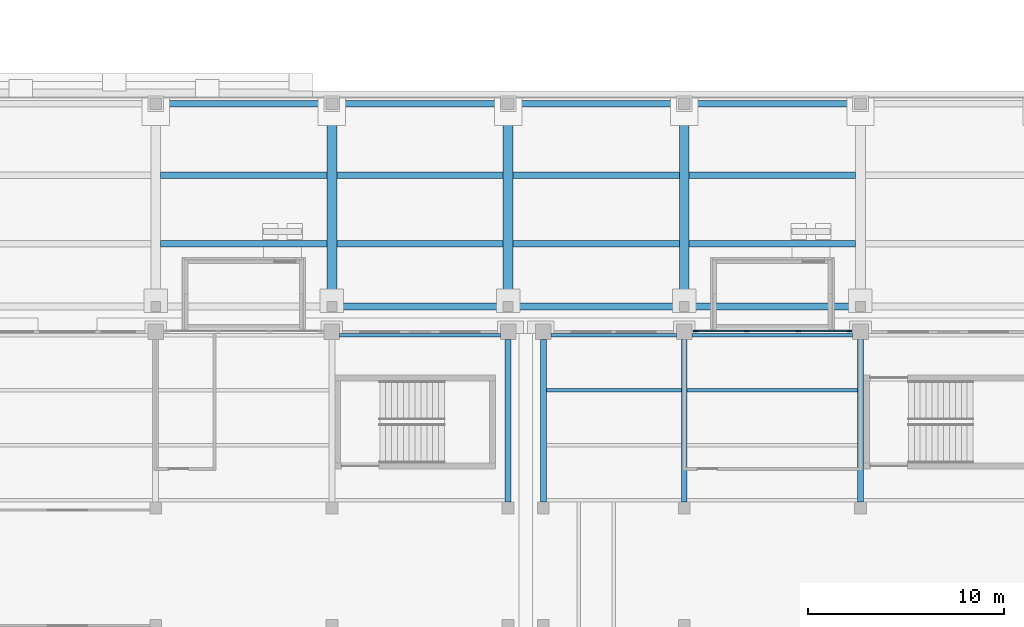
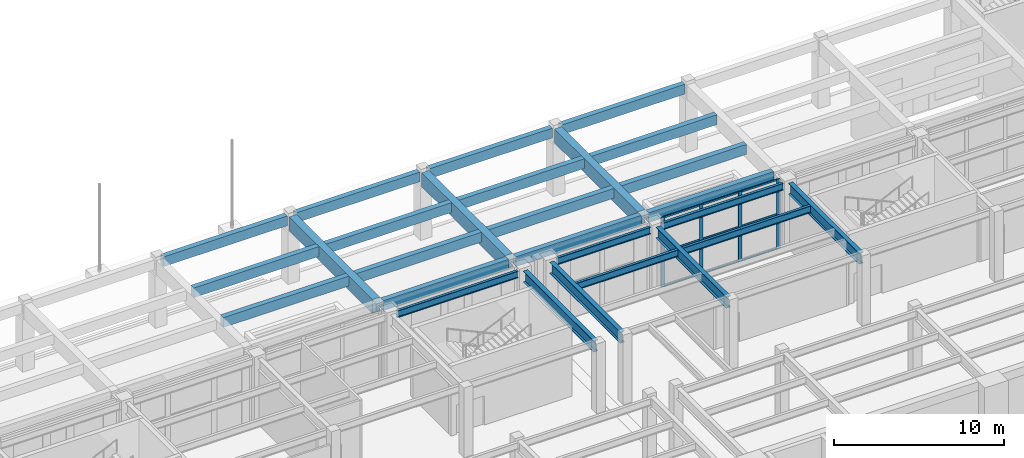
# One storey, part 25 of 77: 27 beams, 13 members, 1 element without a shape of its own.
"""IFC4 building model written with IfcOpenShell, lengths in metres."""

from ifc_helpers import new_model, si_unit, direction, frame, origin, origin_2d, place, context, subcontext, project, spatial, rectangle, i_section, extrude, material, material_profile, profile_set, type_object, element, aggregate, save


model = new_model("IFC4")

# Units and contexts
model_context = context("Model", 3, precision=1e-05, world=origin(), true_north=direction((0.0, 1.0)))
body_context = subcontext(model_context, "Body", "Model", "MODEL_VIEW")
ifc_project = project(units=[si_unit("LENGTHUNIT", "METRE"), si_unit("AREAUNIT", "SQUARE_METRE"), si_unit("VOLUMEUNIT", "CUBIC_METRE"), si_unit("PLANEANGLEUNIT", "RADIAN"), si_unit("MASSUNIT", "GRAM", prefix="KILO")], contexts=[model_context])

# Site, building, storey
site_placement = place(None, origin())
site = spatial("IfcSite", under=ifc_project, at=site_placement, CompositionType="ELEMENT")
building_placement = place(site_placement, origin())
building = spatial("IfcBuilding", under=site, at=building_placement, Name="Aravalli Gate Trade Fair Centre", CompositionType="ELEMENT")
storey_placement = place(building_placement, origin())
storey = spatial("IfcBuildingStorey", under=building, at=storey_placement, Name="L00", CompositionType="ELEMENT", Elevation=0.0)

# Beams
ifc_material_1 = material(Name="Concrete M40", Category="concrete")
ifc_material_profile_1 = material_profile(ifc_material_1, rectangle(XDim=0.5, YDim=1.0, at=origin_2d()), Name="Arcade cross beam 500 x 1000")
ifc_profile_set_1 = profile_set([ifc_material_profile_1], Name="Concrete M40")
beam_type_1 = type_object("IfcBeamType", Name="Arcade cross beam 500 x 1000", PredefinedType="BEAM", material=ifc_profile_set_1)
for number, where, z_axis, x_axis, name in (
    (1, (96.0, 134.550048828125, 4.25), (0.0, 1.0, 0.0), (-1.0, 0.0, 0.0), "Arcade cross beam 11"),
    (2, (105.0, 134.550048828125, 4.25), (0.0, 1.0, 0.0), (-1.0, 0.0, 0.0), "Arcade cross beam 12"),
    (3, (114.0, 134.550048828125, 4.25), (0.0, 1.0, 0.0), (-1.0, 0.0, 0.0), "Arcade cross beam 13"),
):
    element("IfcBeam", number, at=place(storey_placement, frame(where, z_axis=z_axis, x_axis=x_axis)), inside=storey, type_object=beam_type_1, Name=name, PredefinedType="BEAM", context=body_context, shape_type="SweptSolid", body=[
        extrude(rectangle(XDim=0.5, YDim=1.0, at=origin_2d()), origin(), (0.0, 0.0, 1.0), 9.800048828125),
    ])
ifc_material_profile_2 = material_profile(ifc_material_1, rectangle(XDim=0.35009765625, YDim=0.699951171875, at=origin_2d()), Name="Arcade terrace beam 350 x 700")
ifc_profile_set_2 = profile_set([ifc_material_profile_2], Name="Concrete M40")
beam_type_2 = type_object("IfcBeamType", Name="Arcade terrace beam 350 x 700", PredefinedType="BEAM", material=ifc_profile_set_2)
for number, where, z_axis, x_axis, name in (
    (4, (87.25, 137.5, 4.39990234375), (1.0, 0.0, 0.0), (0.0, 1.0, 0.0), "Arcade terrace beam 2.10-11"),
    (5, (87.25, 141.0, 4.39990234375), (1.0, 0.0, 0.0), (0.0, 1.0, 0.0), "Arcade terrace beam 3.10-11"),
):
    element("IfcBeam", number, at=place(storey_placement, frame(where, z_axis=z_axis, x_axis=x_axis)), inside=storey, type_object=beam_type_2, Name=name, PredefinedType="BEAM", context=body_context, shape_type="SweptSolid", body=[
        extrude(rectangle(XDim=0.35009765625, YDim=0.699951171875, at=origin_2d()), origin(), (0.0, 0.0, 1.0), 8.5),
    ])
beam_1_placement = place(storey_placement, frame((87.300048828125, 144.64990234375, 4.39990234375), z_axis=(1.0, 0.0, 0.0), x_axis=(0.0, 1.0, 0.0)))
element("IfcBeam", 6, at=beam_1_placement, inside=storey, type_object=beam_type_2, Name="Arcade terrace beam 4.10-11", PredefinedType="BEAM", context=body_context, shape_type="SweptSolid", body=[
    extrude(rectangle(XDim=0.35009765625, YDim=0.699951171875, at=origin_2d()), origin(), (0.0, 0.0, 1.0), 8.39990234375),
])
for number, where, z_axis, x_axis, name in (
    (7, (96.25, 134.300048828125, 4.39990234375), (1.0, 0.0, 0.0), (0.0, 1.0, 0.0), "Arcade terrace beam 1.11-12"),
    (8, (96.25, 137.5, 4.39990234375), (1.0, 0.0, 0.0), (0.0, 1.0, 0.0), "Arcade terrace beam 2.11-12"),
    (9, (96.25, 141.0, 4.39990234375), (1.0, 0.0, 0.0), (0.0, 1.0, 0.0), "Arcade terrace beam 3.11-12"),
):
    element("IfcBeam", number, at=place(storey_placement, frame(where, z_axis=z_axis, x_axis=x_axis)), inside=storey, type_object=beam_type_2, Name=name, PredefinedType="BEAM", context=body_context, shape_type="SweptSolid", body=[
        extrude(rectangle(XDim=0.35009765625, YDim=0.699951171875, at=origin_2d()), origin(), (0.0, 0.0, 1.0), 8.5),
    ])
beam_2_placement = place(storey_placement, frame((96.300048828125, 144.64990234375, 4.39990234375), z_axis=(1.0, 0.0, 0.0), x_axis=(0.0, 1.0, 0.0)))
element("IfcBeam", 10, at=beam_2_placement, inside=storey, type_object=beam_type_2, Name="Arcade terrace beam 4.11-12", PredefinedType="BEAM", context=body_context, shape_type="SweptSolid", body=[
    extrude(rectangle(XDim=0.35009765625, YDim=0.699951171875, at=origin_2d()), origin(), (0.0, 0.0, 1.0), 8.39990234375),
])
for number, where, z_axis, x_axis, name in (
    (11, (105.25, 134.300048828125, 4.39990234375), (1.0, 0.0, 0.0), (0.0, 1.0, 0.0), "Arcade terrace beam 1.12-13"),
    (12, (105.25, 137.5, 4.39990234375), (1.0, 0.0, 0.0), (0.0, 1.0, 0.0), "Arcade terrace beam 2.12-13"),
    (13, (105.25, 141.0, 4.39990234375), (1.0, 0.0, 0.0), (0.0, 1.0, 0.0), "Arcade terrace beam 3.12-13"),
):
    element("IfcBeam", number, at=place(storey_placement, frame(where, z_axis=z_axis, x_axis=x_axis)), inside=storey, type_object=beam_type_2, Name=name, PredefinedType="BEAM", context=body_context, shape_type="SweptSolid", body=[
        extrude(rectangle(XDim=0.35009765625, YDim=0.699951171875, at=origin_2d()), origin(), (0.0, 0.0, 1.0), 8.5),
    ])
beam_3_placement = place(storey_placement, frame((105.300048828125, 144.64990234375, 4.39990234375), z_axis=(1.0, 0.0, 0.0), x_axis=(0.0, 1.0, 0.0)))
element("IfcBeam", 14, at=beam_3_placement, inside=storey, type_object=beam_type_2, Name="Arcade terrace beam 4.12-13", PredefinedType="BEAM", context=body_context, shape_type="SweptSolid", body=[
    extrude(rectangle(XDim=0.35009765625, YDim=0.699951171875, at=origin_2d()), origin(), (0.0, 0.0, 1.0), 8.39990234375),
])
for number, where, z_axis, x_axis, name in (
    (15, (114.25, 134.300048828125, 4.39990234375), (1.0, 0.0, 0.0), (0.0, 1.0, 0.0), "Arcade terrace beam 1.13-14"),
    (16, (114.25, 137.5, 4.39990234375), (1.0, 0.0, 0.0), (0.0, 1.0, 0.0), "Arcade terrace beam 2.13-14"),
    (17, (114.25, 141.0, 4.39990234375), (1.0, 0.0, 0.0), (0.0, 1.0, 0.0), "Arcade terrace beam 3.13-14"),
):
    element("IfcBeam", number, at=place(storey_placement, frame(where, z_axis=z_axis, x_axis=x_axis)), inside=storey, type_object=beam_type_2, Name=name, PredefinedType="BEAM", context=body_context, shape_type="SweptSolid", body=[
        extrude(rectangle(XDim=0.35009765625, YDim=0.699951171875, at=origin_2d()), origin(), (0.0, 0.0, 1.0), 8.5),
    ])
beam_4_placement = place(storey_placement, frame((114.300048828125, 144.64990234375, 4.39990234375), z_axis=(1.0, 0.0, 0.0), x_axis=(0.0, 1.0, 0.0)))
element("IfcBeam", 18, at=beam_4_placement, inside=storey, type_object=beam_type_2, Name="Arcade terrace beam 4.13-14", PredefinedType="BEAM", context=body_context, shape_type="SweptSolid", body=[
    extrude(rectangle(XDim=0.35009765625, YDim=0.699951171875, at=origin_2d()), origin(), (0.0, 0.0, 1.0), 8.39990234375),
])

# Curtain wall, members
ifc_material_2 = material(Name="Aluminium and glass", Category="aluminium")
curtain_wall_type = type_object("IfcCurtainWallType", Name="Curtain wall 3000 module, tall", PredefinedType="NOTDEFINED", material=ifc_material_2)
curtain_wall_placement = place(storey_placement, origin())
curtain_wall = element("IfcCurtainWall", 19, at=curtain_wall_placement, inside=storey, type_object=curtain_wall_type, Name="Curtain wall north bay 14 L00", PredefinedType="NOTDEFINED")
ifc_material_3 = material(Name="Aluminium", Category="aluminium")
ifc_material_profile_3 = material_profile(ifc_material_3, rectangle(XDim=0.06005859375, YDim=0.25, at=origin_2d()), Name="Concourse curtain wall mullion 60 x 250")
ifc_profile_set_3 = profile_set([ifc_material_profile_3], Name="Aluminium")
member_type_1 = type_object("IfcMemberType", Name="Concourse curtain wall mullion 60 x 250", PredefinedType="MULLION", material=ifc_profile_set_3)
member_1_placement = place(storey_placement, frame((114.580078125, 133.044921875, 0.0), z_axis=(0.0, 0.0, 1.0), x_axis=(0.0, 1.0, 0.0)))
member_1 = element("IfcMember", 20, at=member_1_placement, type_object=member_type_1, Name="CW3 mullion 1", PredefinedType="MULLION", context=body_context, shape_type="SweptSolid", body=[
    extrude(rectangle(XDim=0.06005859375, YDim=0.25, at=origin_2d()), origin(), (0.0, 0.0, 1.0), 5.0),
])
member_2_placement = place(storey_placement, frame((117.183349609375, 133.044921875, 0.0), z_axis=(0.0, 0.0, 1.0), x_axis=(0.0, 1.0, 0.0)))
member_2 = element("IfcMember", 21, at=member_2_placement, type_object=member_type_1, Name="CW3 mullion 2", PredefinedType="MULLION", context=body_context, shape_type="SweptSolid", body=[
    extrude(rectangle(XDim=0.06005859375, YDim=0.25, at=origin_2d()), origin(), (0.0, 0.0, 1.0), 5.0),
])
member_3_placement = place(storey_placement, frame((119.816650390625, 133.044921875, 0.0), z_axis=(0.0, 0.0, 1.0), x_axis=(0.0, 1.0, 0.0)))
member_3 = element("IfcMember", 22, at=member_3_placement, type_object=member_type_1, Name="CW3 mullion 3", PredefinedType="MULLION", context=body_context, shape_type="SweptSolid", body=[
    extrude(rectangle(XDim=0.06005859375, YDim=0.25, at=origin_2d()), origin(), (0.0, 0.0, 1.0), 5.0),
])
member_4_placement = place(storey_placement, frame((122.419921875, 133.044921875, 0.0), z_axis=(0.0, 0.0, 1.0), x_axis=(0.0, 1.0, 0.0)))
member_4 = element("IfcMember", 23, at=member_4_placement, type_object=member_type_1, Name="CW3 mullion 4", PredefinedType="MULLION", context=body_context, shape_type="SweptSolid", body=[
    extrude(rectangle(XDim=0.06005859375, YDim=0.25, at=origin_2d()), origin(), (0.0, 0.0, 1.0), 5.0),
])
ifc_material_profile_4 = material_profile(ifc_material_3, rectangle(XDim=0.06005859375, YDim=0.1201171875, at=origin_2d()), Name="Concourse curtain wall transom 60 x 120")
ifc_profile_set_4 = profile_set([ifc_material_profile_4], Name="Aluminium")
member_type_2 = type_object("IfcMemberType", Name="Concourse curtain wall transom 60 x 120", PredefinedType="USERDEFINED", material=ifc_profile_set_4)
member_5_placement = place(storey_placement, frame((114.610107421875, 133.044921875, 0.030029296875), z_axis=(1.0, 0.0, 0.0), x_axis=(0.0, 1.0, 0.0)))
member_5 = element("IfcMember", 24, at=member_5_placement, type_object=member_type_2, Name="CW3 transom 1.1", ObjectType="TRANSOM", PredefinedType="USERDEFINED", context=body_context, shape_type="SweptSolid", body=[
    extrude(rectangle(XDim=0.06005859375, YDim=0.1201171875, at=origin_2d()), origin(), (0.0, 0.0, 1.0), 2.543212890625),
])
member_6_placement = place(storey_placement, frame((114.610107421875, 133.044921875, 2.5), z_axis=(1.0, 0.0, 0.0), x_axis=(0.0, 1.0, 0.0)))
member_6 = element("IfcMember", 25, at=member_6_placement, type_object=member_type_2, Name="CW3 transom 1.2", ObjectType="TRANSOM", PredefinedType="USERDEFINED", context=body_context, shape_type="SweptSolid", body=[
    extrude(rectangle(XDim=0.06005859375, YDim=0.1201171875, at=origin_2d()), origin(), (0.0, 0.0, 1.0), 2.543212890625),
])
member_7_placement = place(storey_placement, frame((114.610107421875, 133.044921875, 4.969970703125), z_axis=(1.0, 0.0, 0.0), x_axis=(0.0, 1.0, 0.0)))
member_7 = element("IfcMember", 26, at=member_7_placement, type_object=member_type_2, Name="CW3 transom 1.3", ObjectType="TRANSOM", PredefinedType="USERDEFINED", context=body_context, shape_type="SweptSolid", body=[
    extrude(rectangle(XDim=0.06005859375, YDim=0.1201171875, at=origin_2d()), origin(), (0.0, 0.0, 1.0), 2.543212890625),
])
member_8_placement = place(storey_placement, frame((117.21337890625, 133.044921875, 0.030029296875), z_axis=(1.0, 0.0, 0.0), x_axis=(0.0, 1.0, 0.0)))
member_8 = element("IfcMember", 27, at=member_8_placement, type_object=member_type_2, Name="CW3 transom 2.1", ObjectType="TRANSOM", PredefinedType="USERDEFINED", context=body_context, shape_type="SweptSolid", body=[
    extrude(rectangle(XDim=0.06005859375, YDim=0.1201171875, at=origin_2d()), origin(), (0.0, 0.0, 1.0), 2.5732421875),
])
member_9_placement = place(storey_placement, frame((117.21337890625, 133.044921875, 2.5), z_axis=(1.0, 0.0, 0.0), x_axis=(0.0, 1.0, 0.0)))
member_9 = element("IfcMember", 28, at=member_9_placement, type_object=member_type_2, Name="CW3 transom 2.2", ObjectType="TRANSOM", PredefinedType="USERDEFINED", context=body_context, shape_type="SweptSolid", body=[
    extrude(rectangle(XDim=0.06005859375, YDim=0.1201171875, at=origin_2d()), origin(), (0.0, 0.0, 1.0), 2.5732421875),
])
member_10_placement = place(storey_placement, frame((117.21337890625, 133.044921875, 4.969970703125), z_axis=(1.0, 0.0, 0.0), x_axis=(0.0, 1.0, 0.0)))
member_10 = element("IfcMember", 29, at=member_10_placement, type_object=member_type_2, Name="CW3 transom 2.3", ObjectType="TRANSOM", PredefinedType="USERDEFINED", context=body_context, shape_type="SweptSolid", body=[
    extrude(rectangle(XDim=0.06005859375, YDim=0.1201171875, at=origin_2d()), origin(), (0.0, 0.0, 1.0), 2.5732421875),
])
member_11_placement = place(storey_placement, frame((119.8466796875, 133.044921875, 0.030029296875), z_axis=(1.0, 0.0, 0.0), x_axis=(0.0, 1.0, 0.0)))
member_11 = element("IfcMember", 30, at=member_11_placement, type_object=member_type_2, Name="CW3 transom 3.1", ObjectType="TRANSOM", PredefinedType="USERDEFINED", context=body_context, shape_type="SweptSolid", body=[
    extrude(rectangle(XDim=0.06005859375, YDim=0.1201171875, at=origin_2d()), origin(), (0.0, 0.0, 1.0), 2.543212890625),
])
member_12_placement = place(storey_placement, frame((119.8466796875, 133.044921875, 2.5), z_axis=(1.0, 0.0, 0.0), x_axis=(0.0, 1.0, 0.0)))
member_12 = element("IfcMember", 31, at=member_12_placement, type_object=member_type_2, Name="CW3 transom 3.2", ObjectType="TRANSOM", PredefinedType="USERDEFINED", context=body_context, shape_type="SweptSolid", body=[
    extrude(rectangle(XDim=0.06005859375, YDim=0.1201171875, at=origin_2d()), origin(), (0.0, 0.0, 1.0), 2.543212890625),
])
member_13_placement = place(storey_placement, frame((119.8466796875, 133.044921875, 4.969970703125), z_axis=(1.0, 0.0, 0.0), x_axis=(0.0, 1.0, 0.0)))
member_13 = element("IfcMember", 32, at=member_13_placement, type_object=member_type_2, Name="CW3 transom 3.3", ObjectType="TRANSOM", PredefinedType="USERDEFINED", context=body_context, shape_type="SweptSolid", body=[
    extrude(rectangle(XDim=0.06005859375, YDim=0.1201171875, at=origin_2d()), origin(), (0.0, 0.0, 1.0), 2.543212890625),
])
aggregate(curtain_wall, [member_1, member_2, member_3, member_4, member_5, member_6, member_7, member_8, member_9, member_10, member_11, member_12, member_13])

# Beams
ifc_material_4 = material(Name="Steel E350", Category="steel")
ifc_material_profile_5 = material_profile(ifc_material_4, i_section(OverallWidth=0.179931640625, OverallDepth=0.5, WebThickness=0.01025390625, FlangeThickness=0.01708984375, at=origin_2d()), Name="ISMB 500")
ifc_profile_set_5 = profile_set([ifc_material_profile_5], Name="Steel E350")
beam_type_3 = type_object("IfcBeamType", Name="ISMB 500 gallery secondary beam", PredefinedType="JOIST", material=ifc_profile_set_5)
beam_5_placement = place(storey_placement, frame((96.39990234375, 132.830078125, 4.550048828125), z_axis=(1.0, 0.0, 0.0), x_axis=(0.0, 1.0, 0.0)))
element("IfcBeam", 33, at=beam_5_placement, inside=storey, type_object=beam_type_3, Name="Gallery beam N7 11-12 L01", PredefinedType="JOIST", context=body_context, shape_type="SweptSolid", body=[
    extrude(i_section(OverallWidth=0.179931640625, OverallDepth=0.5, WebThickness=0.01025390625, FlangeThickness=0.01708984375, at=origin_2d()), origin(), (0.0, 0.0, 1.0), 8.2001953125),
])
beam_6_placement = place(storey_placement, frame((106.949951171875, 130.0166015625, 4.550048828125), z_axis=(1.0, 0.0, 0.0), x_axis=(0.0, 1.0, 0.0)))
element("IfcBeam", 34, at=beam_6_placement, inside=storey, type_object=beam_type_3, Name="Gallery beam N6 12A-13 L01", PredefinedType="JOIST", context=body_context, shape_type="SweptSolid", body=[
    extrude(i_section(OverallWidth=0.179931640625, OverallDepth=0.5, WebThickness=0.01025390625, FlangeThickness=0.01708984375, at=origin_2d()), origin(), (0.0, 0.0, 1.0), 6.900146484375),
])
beam_7_placement = place(storey_placement, frame((107.199951171875, 132.830078125, 4.550048828125), z_axis=(1.0, 0.0, 0.0), x_axis=(0.0, 1.0, 0.0)))
element("IfcBeam", 35, at=beam_7_placement, inside=storey, type_object=beam_type_3, Name="Gallery beam N7 12A-13 L01", PredefinedType="JOIST", context=body_context, shape_type="SweptSolid", body=[
    extrude(i_section(OverallWidth=0.179931640625, OverallDepth=0.5, WebThickness=0.01025390625, FlangeThickness=0.01708984375, at=origin_2d()), origin(), (0.0, 0.0, 1.0), 6.400146484375),
])
beam_8_placement = place(storey_placement, frame((114.14990234375, 130.0166015625, 4.550048828125), z_axis=(1.0, 0.0, 0.0), x_axis=(0.0, 1.0, 0.0)))
element("IfcBeam", 36, at=beam_8_placement, inside=storey, type_object=beam_type_3, Name="Gallery beam N6 13-14 L01", PredefinedType="JOIST", context=body_context, shape_type="SweptSolid", body=[
    extrude(i_section(OverallWidth=0.179931640625, OverallDepth=0.5, WebThickness=0.01025390625, FlangeThickness=0.01708984375, at=origin_2d()), origin(), (0.0, 0.0, 1.0), 8.7001953125),
])
beam_9_placement = place(storey_placement, frame((114.39990234375, 132.830078125, 4.550048828125), z_axis=(1.0, 0.0, 0.0), x_axis=(0.0, 1.0, 0.0)))
element("IfcBeam", 37, at=beam_9_placement, inside=storey, type_object=beam_type_3, Name="Gallery beam N7 13-14 L01", PredefinedType="JOIST", context=body_context, shape_type="SweptSolid", body=[
    extrude(i_section(OverallWidth=0.179931640625, OverallDepth=0.5, WebThickness=0.01025390625, FlangeThickness=0.01708984375, at=origin_2d()), origin(), (0.0, 0.0, 1.0), 8.2001953125),
])
ifc_material_profile_6 = material_profile(ifc_material_4, i_section(OverallWidth=0.300048828125, OverallDepth=0.800048828125, WebThickness=0.011962890625, FlangeThickness=0.02490234375, at=origin_2d()), Name="PG 800x300x12x25")
ifc_profile_set_6 = profile_set([ifc_material_profile_6], Name="Steel E350")
beam_type_4 = type_object("IfcBeamType", Name="PG 800x300x12x25 gallery plate girder", PredefinedType="BEAM", material=ifc_profile_set_6)
for number, where, z_axis, x_axis, name in (
    (38, (105.0, 124.300048828125, 4.39990234375), (0.0, 1.0, 0.0), (-1.0, 0.0, 0.0), "Gallery girder N12 L01"),
    (39, (106.800048828125, 124.300048828125, 4.39990234375), (0.0, 1.0, 0.0), (-1.0, 0.0, 0.0), "Gallery girder N12A L01"),
    (40, (114.0, 124.300048828125, 4.39990234375), (0.0, 1.0, 0.0), (-1.0, 0.0, 0.0), "Gallery girder N13 L01"),
    (41, (123.0, 124.300048828125, 4.39990234375), (0.0, 1.0, 0.0), (-1.0, 0.0, 0.0), "Gallery girder N14 L01"),
):
    element("IfcBeam", number, at=place(storey_placement, frame(where, z_axis=z_axis, x_axis=x_axis)), inside=storey, type_object=beam_type_4, Name=name, PredefinedType="BEAM", context=body_context, shape_type="SweptSolid", body=[
        extrude(i_section(OverallWidth=0.300048828125, OverallDepth=0.800048828125, WebThickness=0.011962890625, FlangeThickness=0.02490234375, at=origin_2d()), origin(), (0.0, 0.0, 1.0), 8.300048828125),
    ])

save(model, "model.ifc")
